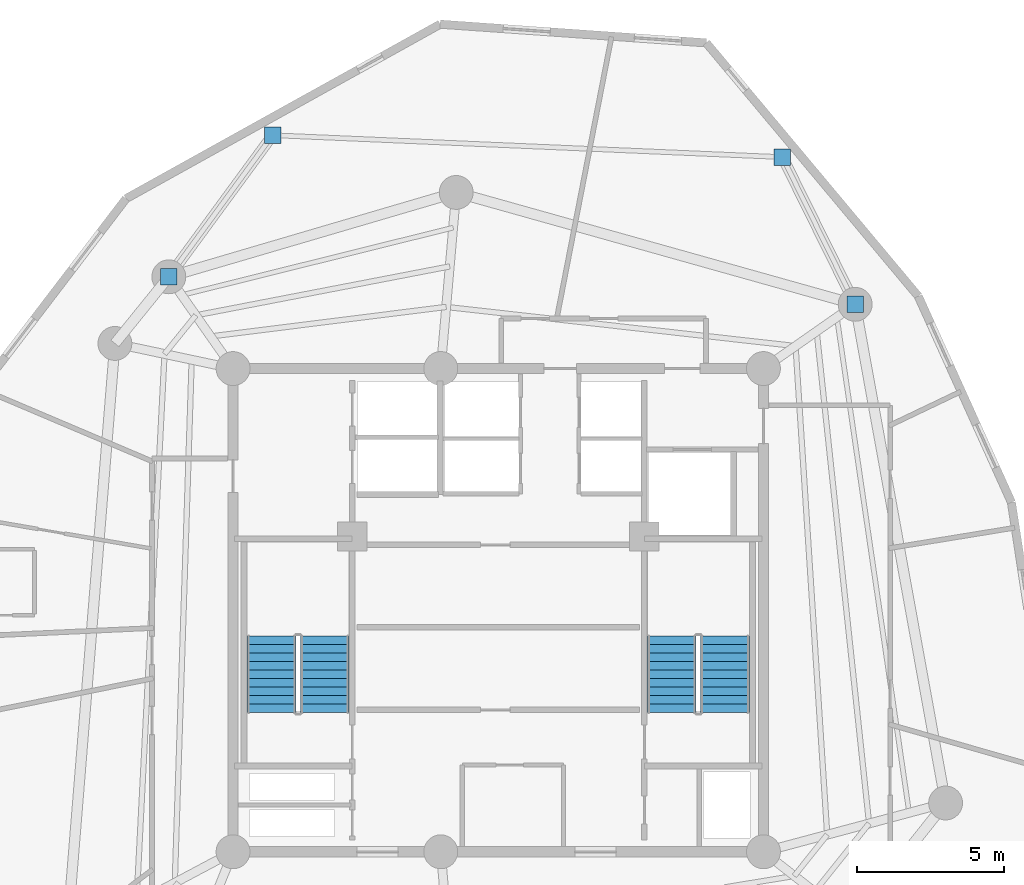
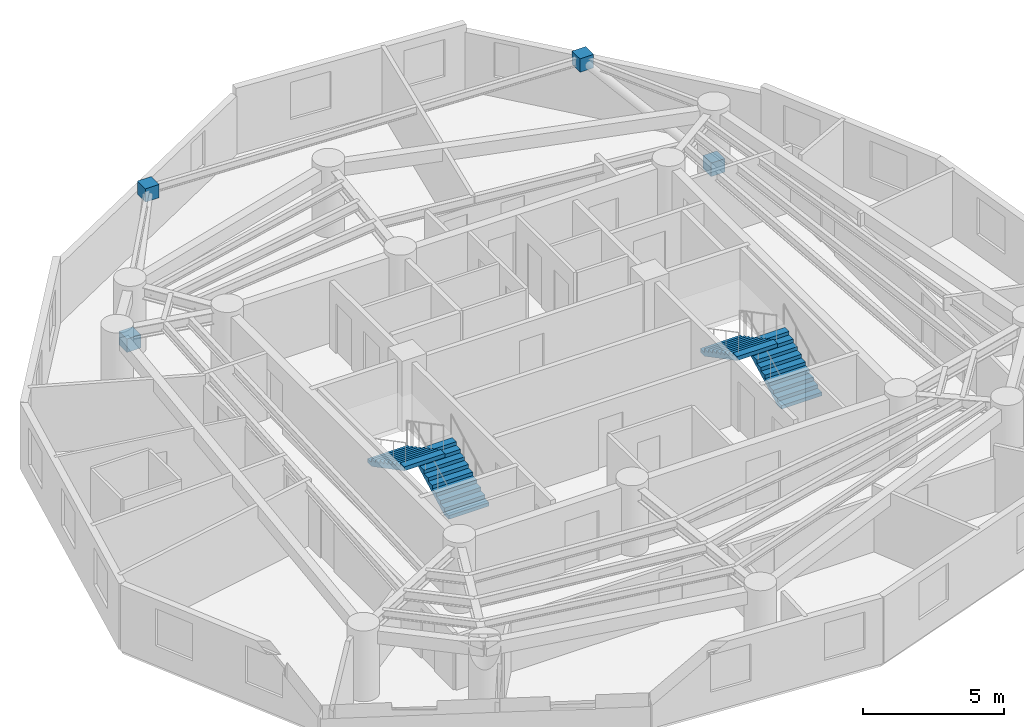
# One storey, part 6 of 7: 4 discrete accessories, 4 stair flights, 2 elements without a shape of their own.
"""IFC4 building model written with IfcOpenShell, lengths in metres."""

from ifc_helpers import new_model, si_unit, direction, frame, origin, origin_with_axes, origin_2d, place, context, subcontext, project, spatial, polyline, rectangle, outline, extrude, source, transform, mapped, material, type_object, element, aggregate, save


model = new_model("IFC4")

# Units and contexts
model_context = context("Model", 3, precision=1e-05, world=origin(), true_north=direction((0.0, 1.0)))
body_context = subcontext(model_context, "Body", "Model", "MODEL_VIEW")
ifc_project = project(units=[si_unit("LENGTHUNIT", "METRE"), si_unit("AREAUNIT", "SQUARE_METRE"), si_unit("VOLUMEUNIT", "CUBIC_METRE"), si_unit("PLANEANGLEUNIT", "RADIAN"), si_unit("MASSUNIT", "GRAM", prefix="KILO")], contexts=[model_context])

# Site, building, storey
site_placement = place(None, origin())
site = spatial("IfcSite", under=ifc_project, at=site_placement, CompositionType="ELEMENT")
building_placement = place(site_placement, origin())
building = spatial("IfcBuilding", under=site, at=building_placement, Name="Karkom Vertical University and Central Library", CompositionType="ELEMENT")
storey_placement = place(building_placement, frame((0.0, 0.0, 247.39990234375)))
storey = spatial("IfcBuildingStorey", under=building, at=storey_placement, Name="L73", CompositionType="ELEMENT", Elevation=247.39990234375)

# Stair, stair flights
ifc_material_1 = material(Name="Concrete C45/55", Category="concrete")
stair_type = type_object("IfcStairType", Name="INT-STR-ST-MAIN", PredefinedType="HALF_TURN_STAIR", material=ifc_material_1)
stair_1_placement = place(storey_placement, origin())
stair_1 = element("IfcStair", 1, at=stair_1_placement, inside=storey, type_object=stair_type, Name="Level 73 Tower Protected Exit Stair ST-1", PredefinedType="HALF_TURN_STAIR")
stair_flight_type = type_object("IfcStairFlightType", Name="INT-SFL-ST-MAIN", PredefinedType="STRAIGHT", material=ifc_material_1)
stair_flight_1_placement = place(storey_placement, frame((22.614990234375, 23.02001953125, 0.0), z_axis=(0.0, 0.0, 1.0), x_axis=(0.0, 1.0, 0.0)))
stair_flight_1 = element("IfcStairFlight", 2, at=stair_flight_1_placement, type_object=stair_flight_type, Name="ST-1 flight 1", NumberOfRisers=10, NumberOfTreads=9, PredefinedType="STRAIGHT", RiserHeight=0.1525, TreadLength=0.29, context=body_context, shape_type="SweptSolid", body=[
    extrude(outline(polyline([(0.0, 0.0), (0.0, 0.152587890625), (0.2900390625, 0.152587890625), (0.2900390625, 0.304931640625), (0.580078125, 0.304931640625), (0.580078125, 0.45751953125), (0.8701171875, 0.45751953125), (0.8701171875, 0.610107421875), (1.159912109375, 0.610107421875), (1.159912109375, 0.762451171875), (1.449951171875, 0.762451171875), (1.449951171875, 0.9150390625), (1.739990234375, 0.9150390625), (1.739990234375, 1.0673828125), (2.030029296875, 1.0673828125), (2.030029296875, 1.219970703125), (2.320068359375, 1.219970703125), (2.320068359375, 1.37255859375), (2.610107421875, 1.37255859375), (2.610107421875, 1.52490234375), (2.610107421875, 1.203125), (0.322021484375, 0.0), (0.0, 0.0)])), frame((0.0, 0.824951171875, 0.0), z_axis=(0.0, -1.0, 0.0), x_axis=(1.0, 0.0, 0.0)), (0.0, 0.0, 1.0), 1.64990234375),
])
stair_flight_2_placement = place(storey_placement, frame((20.804931640625, 25.6298828125, 1.525146484375), z_axis=(0.0, 0.0, 1.0), x_axis=(0.0, -1.0, 0.0)))
stair_flight_2 = element("IfcStairFlight", 3, at=stair_flight_2_placement, type_object=stair_flight_type, Name="ST-1 flight 2", NumberOfRisers=10, NumberOfTreads=9, PredefinedType="STRAIGHT", RiserHeight=0.1525, TreadLength=0.29, context=body_context, shape_type="SweptSolid", body=[
    extrude(outline(polyline([(0.0, 0.0), (0.0, 0.152587890625), (0.2900390625, 0.152587890625), (0.2900390625, 0.304931640625), (0.580078125, 0.304931640625), (0.580078125, 0.45751953125), (0.8701171875, 0.45751953125), (0.8701171875, 0.610107421875), (1.159912109375, 0.610107421875), (1.159912109375, 0.762451171875), (1.449951171875, 0.762451171875), (1.449951171875, 0.9150390625), (1.739990234375, 0.9150390625), (1.739990234375, 1.0673828125), (2.030029296875, 1.0673828125), (2.030029296875, 1.219970703125), (2.320068359375, 1.219970703125), (2.320068359375, 1.37255859375), (2.610107421875, 1.37255859375), (2.610107421875, 1.52490234375), (2.610107421875, 1.203125), (0.322021484375, 0.0), (0.0, 0.0)])), frame((0.0, 0.824951171875, 0.0), z_axis=(0.0, -1.0, 0.0), x_axis=(1.0, 0.0, 0.0)), (0.0, 0.0, 1.0), 1.64990234375),
])
aggregate(stair_1, [stair_flight_1, stair_flight_2])

stair_2_placement = place(storey_placement, origin())
stair_2 = element("IfcStair", 4, at=stair_2_placement, inside=storey, type_object=stair_type, Name="Level 73 Tower Protected Exit Stair ST-2", PredefinedType="HALF_TURN_STAIR")
stair_flight_3_placement = place(storey_placement, frame((36.195068359375, 23.02001953125, 0.0), z_axis=(0.0, 0.0, 1.0), x_axis=(0.0, 1.0, 0.0)))
stair_flight_3 = element("IfcStairFlight", 5, at=stair_flight_3_placement, type_object=stair_flight_type, Name="ST-2 flight 1", NumberOfRisers=10, NumberOfTreads=9, PredefinedType="STRAIGHT", RiserHeight=0.1525, TreadLength=0.29, context=body_context, shape_type="SweptSolid", body=[
    extrude(outline(polyline([(0.0, 0.0), (0.0, 0.152587890625), (0.2900390625, 0.152587890625), (0.2900390625, 0.304931640625), (0.580078125, 0.304931640625), (0.580078125, 0.45751953125), (0.8701171875, 0.45751953125), (0.8701171875, 0.610107421875), (1.159912109375, 0.610107421875), (1.159912109375, 0.762451171875), (1.449951171875, 0.762451171875), (1.449951171875, 0.9150390625), (1.739990234375, 0.9150390625), (1.739990234375, 1.0673828125), (2.030029296875, 1.0673828125), (2.030029296875, 1.219970703125), (2.320068359375, 1.219970703125), (2.320068359375, 1.37255859375), (2.610107421875, 1.37255859375), (2.610107421875, 1.52490234375), (2.610107421875, 1.203125), (0.322021484375, 0.0), (0.0, 0.0)])), frame((0.0, 0.824951171875, 0.0), z_axis=(0.0, -1.0, 0.0), x_axis=(1.0, 0.0, 0.0)), (0.0, 0.0, 1.0), 1.64990234375),
])
stair_flight_4_placement = place(storey_placement, frame((34.385009765625, 25.6298828125, 1.525146484375), z_axis=(0.0, 0.0, 1.0), x_axis=(0.0, -1.0, 0.0)))
stair_flight_4 = element("IfcStairFlight", 6, at=stair_flight_4_placement, type_object=stair_flight_type, Name="ST-2 flight 2", NumberOfRisers=10, NumberOfTreads=9, PredefinedType="STRAIGHT", RiserHeight=0.1525, TreadLength=0.29, context=body_context, shape_type="SweptSolid", body=[
    extrude(outline(polyline([(0.0, 0.0), (0.0, 0.152587890625), (0.2900390625, 0.152587890625), (0.2900390625, 0.304931640625), (0.580078125, 0.304931640625), (0.580078125, 0.45751953125), (0.8701171875, 0.45751953125), (0.8701171875, 0.610107421875), (1.159912109375, 0.610107421875), (1.159912109375, 0.762451171875), (1.449951171875, 0.762451171875), (1.449951171875, 0.9150390625), (1.739990234375, 0.9150390625), (1.739990234375, 1.0673828125), (2.030029296875, 1.0673828125), (2.030029296875, 1.219970703125), (2.320068359375, 1.219970703125), (2.320068359375, 1.37255859375), (2.610107421875, 1.37255859375), (2.610107421875, 1.52490234375), (2.610107421875, 1.203125), (0.322021484375, 0.0), (0.0, 0.0)])), frame((0.0, 0.824951171875, 0.0), z_axis=(0.0, -1.0, 0.0), x_axis=(1.0, 0.0, 0.0)), (0.0, 0.0, 1.0), 1.64990234375),
])
aggregate(stair_2, [stair_flight_3, stair_flight_4])

# Discrete accessories
ifc_material_2 = material(Name="Ductile cast iron EN-GJS-400-15", Category="metal")
discrete_accessory_type = type_object("IfcDiscreteAccessoryType", Name="STR-ACC-NODECAP", PredefinedType="BRACKET", material=ifc_material_2)
shared_shape = source(origin_with_axes(), body_context, "Body", "SweptSolid", [
    extrude(rectangle(XDim=0.56005859375, YDim=0.56005859375, at=origin_2d()), origin(), (0.0, 0.0, 1.0), 0.580078125),
])
for number, where, z_axis, x_axis, name in (
    (7, (40.613037109375, 36.8798828125, 0.06005859375), (0.0, 0.0, 1.0), (1.0, 0.0, 0.0), "Level 73 Cast Node Connector L73-SKG-KNEE-1 A"),
    (8, (38.14599609375, 41.875, 2.39501953125), (0.0, 0.0, 1.0), (1.0, 0.0, 0.0), "Level 73 Cast Node Connector L73-SKG-KNEE-1 B"),
    (9, (17.320068359375, 37.81298828125, 0.06005859375), (0.0, 0.0, 1.0), (1.0, 0.0, 0.0), "Level 73 Cast Node Connector L73-SKG-KNEE-2 A"),
    (10, (20.84228515625, 42.618896484375, 2.39501953125), (0.0, 0.0, 1.0), (1.0, 0.0, 0.0), "Level 73 Cast Node Connector L73-SKG-KNEE-2 B"),
):
    element("IfcDiscreteAccessory", number, at=place(storey_placement, frame(where, z_axis=z_axis, x_axis=x_axis)), inside=storey, type_object=discrete_accessory_type, Name=name, PredefinedType="BRACKET", context=body_context, shape_type="MappedRepresentation", body=[
        mapped(shared_shape, transform((0.0, 0.0, 0.0), scale=1.0)),
    ])

save(model, "model.ifc")
